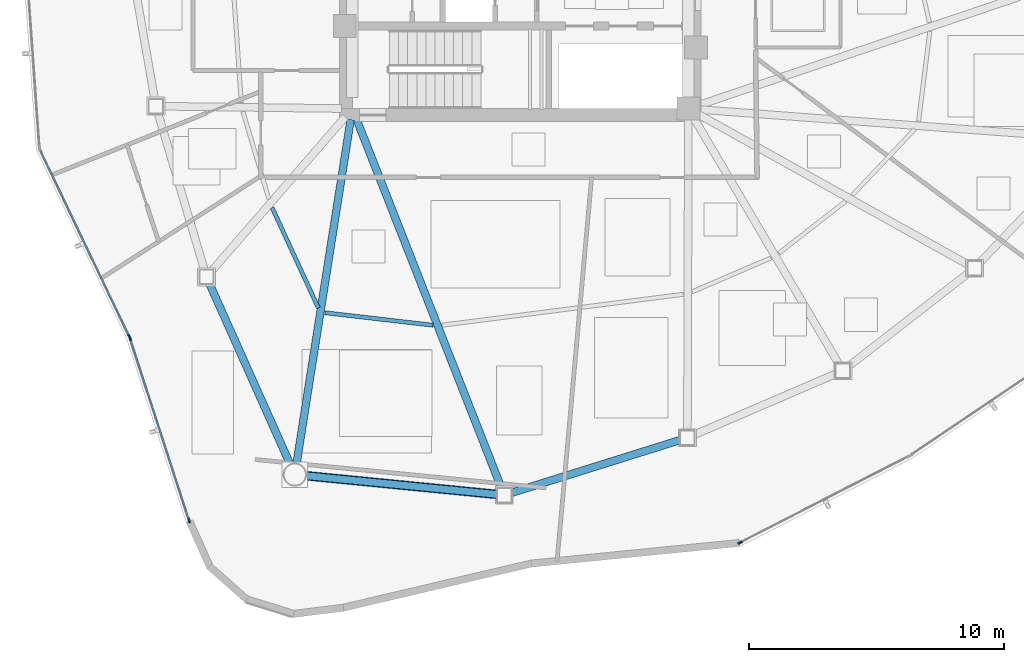
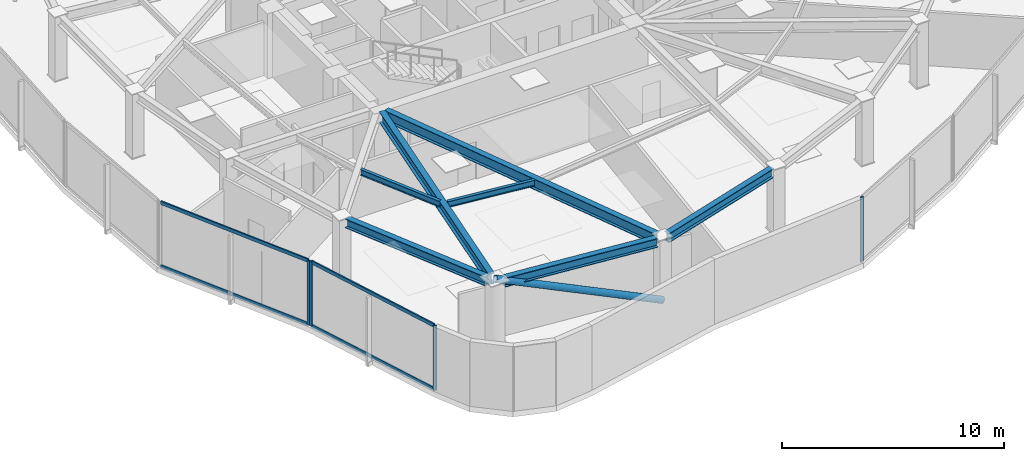
# One storey, part 2 of 17: 9 members, 7 beams, 3 elements without a shape of their own.
"""IFC4 building model written with IfcOpenShell, lengths in metres."""

from ifc_helpers import new_model, si_unit, direction, frame, origin, origin_2d, place, context, subcontext, project, spatial, hollow_rectangle, hollow_circle, i_section, extrude, source, transform, mapped, material, layer, layer_set, material_profile, profile_set, type_object, type_shapes, element, aggregate, save


model = new_model("IFC4")

# Units and contexts
model_context = context("Model", 3, precision=1e-05, world=origin(), true_north=direction((0.0, 1.0)))
body_context = subcontext(model_context, "Body", "Model", "MODEL_VIEW")
ifc_project = project(units=[si_unit("LENGTHUNIT", "METRE"), si_unit("AREAUNIT", "SQUARE_METRE"), si_unit("VOLUMEUNIT", "CUBIC_METRE"), si_unit("PLANEANGLEUNIT", "RADIAN"), si_unit("MASSUNIT", "GRAM", prefix="KILO")], contexts=[model_context])

# Site, building, storey
site_placement = place(None, origin())
site = spatial("IfcSite", under=ifc_project, at=site_placement, CompositionType="ELEMENT")
building_placement = place(site_placement, origin())
building = spatial("IfcBuilding", under=site, at=building_placement, Name="Tavelor Broadcast Tower", CompositionType="ELEMENT")
storey_placement = place(building_placement, frame((0.0, 0.0, 161.800048828125)))
storey = spatial("IfcBuildingStorey", under=building, at=storey_placement, Name="L38", CompositionType="ELEMENT", Elevation=161.800048828125)

# Beams
ifc_material_1 = material(Name="Steel S355", Category="steel")
ifc_material_profile_1 = material_profile(ifc_material_1, i_section(OverallWidth=0.159912109375, OverallDepth=0.330078125, WebThickness=0.007568359375, FlangeThickness=0.011474609375, at=origin_2d()), Name="IPE 330")
ifc_profile_set_1 = profile_set([ifc_material_profile_1], Name="Steel S355")
beam_type_1 = type_object("IfcBeamType", Name="Composite Floor Joist T4 IPE 330", PredefinedType="JOIST", material=ifc_profile_set_1)
beam_1_placement = place(storey_placement, frame((40.2470703125, 34.91259765625, 3.385009765625), z_axis=(0.418865688231, -0.908048200936, 0.0), x_axis=(0.908048200936, 0.418865688231, 0.0)))
element("IfcBeam", 1, at=beam_1_placement, inside=storey, type_object=beam_type_1, Name="L38 Secondary Composite Floor Joist 06", PredefinedType="JOIST", context=body_context, shape_type="SweptSolid", body=[
    extrude(i_section(OverallWidth=0.159912109375, OverallDepth=0.330078125, WebThickness=0.007568359375, FlangeThickness=0.011474609375, at=origin_2d()), origin(), (0.0, 0.0, 1.0), 4.343505859375),
])
beam_2_placement = place(storey_placement, frame((42.322021484375, 30.783447265625, 3.385009765625), z_axis=(0.99339343168, -0.114758397927, 0.0), x_axis=(0.114758397927, 0.99339343168, 0.0)))
element("IfcBeam", 2, at=beam_2_placement, inside=storey, type_object=beam_type_1, Name="L38 Secondary Composite Floor Joist 07", PredefinedType="JOIST", context=body_context, shape_type="SweptSolid", body=[
    extrude(i_section(OverallWidth=0.159912109375, OverallDepth=0.330078125, WebThickness=0.007568359375, FlangeThickness=0.011474609375, at=origin_2d()), origin(), (0.0, 0.0, 1.0), 4.2783203125),
])
ifc_material_profile_2 = material_profile(ifc_material_1, i_section(OverallWidth=0.300048828125, OverallDepth=0.5, WebThickness=0.014404296875, FlangeThickness=0.028076171875, at=origin_2d()), Name="HEB 500")
ifc_profile_set_2 = profile_set([ifc_material_profile_2], Name="Steel S355")
beam_type_2 = type_object("IfcBeamType", Name="Perimeter Spandrel Beam T4 HEB 500", PredefinedType="SPANDREL", material=ifc_profile_set_2)
beam_3_placement = place(storey_placement, frame((37.78564453125, 31.927490234375, 3.300048828125), z_axis=(0.407969002466, -0.912995779304, 0.0), x_axis=(0.912995779304, 0.407969002466, 0.0)))
element("IfcBeam", 3, at=beam_3_placement, inside=storey, type_object=beam_type_2, Name="L38 Framed-Tube Ring Spandrel 06", PredefinedType="SPANDREL", context=body_context, shape_type="SweptSolid", body=[
    extrude(i_section(OverallWidth=0.300048828125, OverallDepth=0.5, WebThickness=0.014404296875, FlangeThickness=0.028076171875, at=origin_2d()), origin(), (0.0, 0.0, 1.0), 7.7802734375),
])
beam_4_placement = place(storey_placement, frame((41.5751953125, 24.381103515625, 3.300048828125), z_axis=(0.995249339376, -0.097358884918, 0.0), x_axis=(0.097358884918, 0.995249339376, 0.0)))
element("IfcBeam", 4, at=beam_4_placement, inside=storey, type_object=beam_type_2, Name="L38 Framed-Tube Ring Spandrel 07", PredefinedType="SPANDREL", context=body_context, shape_type="SweptSolid", body=[
    extrude(i_section(OverallWidth=0.300048828125, OverallDepth=0.5, WebThickness=0.014404296875, FlangeThickness=0.028076171875, at=origin_2d()), origin(), (0.0, 0.0, 1.0), 7.54052734375),
])
beam_5_placement = place(storey_placement, frame((49.641357421875, 23.705078125, 3.300048828125), z_axis=(0.954273247332, 0.298935727918, 0.0), x_axis=(-0.298935727918, 0.954273247332, 0.0)))
element("IfcBeam", 5, at=beam_5_placement, inside=storey, type_object=beam_type_2, Name="L38 Framed-Tube Ring Spandrel 08", PredefinedType="SPANDREL", context=body_context, shape_type="SweptSolid", body=[
    extrude(i_section(OverallWidth=0.300048828125, OverallDepth=0.5, WebThickness=0.014404296875, FlangeThickness=0.028076171875, at=origin_2d()), origin(), (0.0, 0.0, 1.0), 6.963134765625),
])

# Member
ifc_material_profile_3 = material_profile(ifc_material_1, hollow_circle(Radius=0.177734375, WallThickness=0.01611328125, at=origin_2d()), Name="CHS 355.6x16")
ifc_profile_set_3 = profile_set([ifc_material_profile_3], Name="Steel S355")
member_type_1 = type_object("IfcMemberType", Name="Perimeter Tube Brace T4 CHS 355.6x16", PredefinedType="BRACE", material=ifc_profile_set_3)
member_1_placement = place(storey_placement, frame((49.366455078125, 23.618896484375, 0.0), z_axis=(-0.914496364203, 0.089466025126, 0.394578547577), x_axis=(-0.097366094377, -0.995248634094, 0.0)))
element("IfcMember", 6, at=member_1_placement, inside=storey, type_object=member_type_1, Name="L38 Corner Tube Diagonal Brace 2", PredefinedType="BRACE", context=body_context, shape_type="SweptSolid", body=[
    extrude(hollow_circle(Radius=0.177734375, WallThickness=0.01611328125, at=origin_2d()), origin(), (0.0, 0.0, 1.0), 8.9970703125),
])

# Beams
ifc_material_profile_4 = material_profile(ifc_material_1, i_section(OverallWidth=0.300048828125, OverallDepth=0.590087890625, WebThickness=0.012939453125, FlangeThickness=0.02490234375, at=origin_2d()), Name="HEA 600")
ifc_profile_set_4 = profile_set([ifc_material_profile_4], Name="Steel S355")
beam_type_3 = type_object("IfcBeamType", Name="Radial Floor Girder T4 HEA 600", PredefinedType="BEAM", material=ifc_profile_set_4)
beam_6_placement = place(storey_placement, frame((43.3330078125, 38.373291015625, 3.2548828125), z_axis=(-0.15539903111, -0.987851780952, 0.0), x_axis=(0.987851780952, -0.15539903111, 0.0)))
element("IfcBeam", 7, at=beam_6_placement, inside=storey, type_object=beam_type_3, Name="L38 Radial Primary Floor Girder 07", PredefinedType="BEAM", context=body_context, shape_type="SweptSolid", body=[
    extrude(i_section(OverallWidth=0.300048828125, OverallDepth=0.590087890625, WebThickness=0.012939453125, FlangeThickness=0.02490234375, at=origin_2d()), origin(), (0.0, 0.0, 1.0), 13.682373046875),
])
beam_7_placement = place(storey_placement, frame((43.55810546875, 38.39794921875, 3.2548828125), z_axis=(0.365784627572, -0.930699525213, 0.0), x_axis=(0.930699525213, 0.365784627572, 0.0)))
element("IfcBeam", 8, at=beam_7_placement, inside=storey, type_object=beam_type_3, Name="L38 Radial Primary Floor Girder 08", PredefinedType="BEAM", context=body_context, shape_type="SweptSolid", body=[
    extrude(i_section(OverallWidth=0.300048828125, OverallDepth=0.590087890625, WebThickness=0.012939453125, FlangeThickness=0.02490234375, at=origin_2d()), origin(), (0.0, 0.0, 1.0), 15.591552734375),
])

# Curtain wall, member
ifc_material_2 = material(Name="Architectural Anodized Aluminium", Category="aluminium")
ifc_layer = layer(ifc_material_2, 0.18994140625)
ifc_layer_set = layer_set([ifc_layer], Name="Architectural Anodized Aluminium")
curtain_wall_type = type_object("IfcCurtainWallType", Name="Tower Mid-Zone Acoustic Curtain Wall CW03", PredefinedType="NOTDEFINED", material=ifc_layer_set)
curtain_wall_1_placement = place(storey_placement, origin())
curtain_wall_1 = element("IfcCurtainWall", 9, at=curtain_wall_1_placement, inside=storey, type_object=curtain_wall_type, Name="L38 Curtain Wall CW03 Run 399", PredefinedType="NOTDEFINED")
ifc_material_profile_5 = material_profile(ifc_material_2, hollow_rectangle(XDim=0.068115234375, YDim=0.18994140625, WallThickness=0.02197265625, at=origin_2d()), Name="RHS 68x190x22")
ifc_profile_set_5 = profile_set([ifc_material_profile_5], Name="Architectural Anodized Aluminium")
member_type_2 = type_object("IfcMemberType", Name="CW03 Extruded Aluminium Mullion 68x190", PredefinedType="MULLION", material=ifc_profile_set_5)
shared_shape_1 = source(origin(), body_context, "Body", "SweptSolid", [
    extrude(hollow_rectangle(XDim=0.068115234375, YDim=0.18994140625, WallThickness=0.02197265625, at=origin_2d()), origin(), (0.0, 0.0, 1.0), 3.550048828125),
])
type_shapes(member_type_2, [shared_shape_1])
member_2_placement = place(storey_placement, frame((34.634033203125, 29.8564453125, 0.0), z_axis=(0.0, 0.0, 1.0), x_axis=(0.902173087206, 0.431374223524, 0.0)))
member_2 = element("IfcMember", 10, at=member_2_placement, type_object=member_type_2, Name="CW03 mullion 2", PredefinedType="MULLION", context=body_context, shape_type="MappedRepresentation", body=[
    mapped(shared_shape_1, transform((0.0, 0.0, 0.0), scale=1.0)),
])

# Curtain wall, members
curtain_wall_2_placement = place(storey_placement, origin())
curtain_wall_2 = element("IfcCurtainWall", 11, at=curtain_wall_2_placement, inside=storey, type_object=curtain_wall_type, Name="L38 Curtain Wall CW03 Run 400", PredefinedType="NOTDEFINED")
member_3_placement = place(storey_placement, frame((34.670166015625, 29.765625, 0.0), z_axis=(0.0, 0.0, 1.0), x_axis=(0.951181982044, 0.30863058344, 0.0)))
member_3 = element("IfcMember", 12, at=member_3_placement, type_object=member_type_2, Name="CW03 mullion 1", PredefinedType="MULLION", context=body_context, shape_type="MappedRepresentation", body=[
    mapped(shared_shape_1, transform((0.0, 0.0, 0.0), scale=1.0)),
])
member_4_placement = place(storey_placement, frame((36.9873046875, 22.6240234375, 0.0), z_axis=(0.0, 0.0, 1.0), x_axis=(0.951181982044, 0.30863058344, 0.0)))
member_4 = element("IfcMember", 13, at=member_4_placement, type_object=member_type_2, Name="CW03 mullion 2", PredefinedType="MULLION", context=body_context, shape_type="MappedRepresentation", body=[
    mapped(shared_shape_1, transform((0.0, 0.0, 0.0), scale=1.0)),
])

# Curtain wall, member
curtain_wall_3_placement = place(storey_placement, origin())
curtain_wall_3 = element("IfcCurtainWall", 14, at=curtain_wall_3_placement, inside=storey, type_object=curtain_wall_type, Name="L38 Curtain Wall CW03 Run 401", PredefinedType="NOTDEFINED")
member_5_placement = place(storey_placement, frame((58.628662109375, 21.751220703125, 0.0), z_axis=(0.0, 0.0, 1.0), x_axis=(-0.455935837939, 0.890012646923, 0.0)))
member_5 = element("IfcMember", 15, at=member_5_placement, type_object=member_type_2, Name="CW03 mullion 1", PredefinedType="MULLION", context=body_context, shape_type="MappedRepresentation", body=[
    mapped(shared_shape_1, transform((0.0, 0.0, 0.0), scale=1.0)),
])
aggregate(curtain_wall_3, [member_5])

# Member
ifc_material_profile_6 = material_profile(ifc_material_2, hollow_rectangle(XDim=0.068115234375, YDim=0.18994140625, WallThickness=0.02197265625, at=origin_2d()), Name="RHS 68x190x22")
ifc_profile_set_6 = profile_set([ifc_material_profile_6], Name="Architectural Anodized Aluminium")
member_type_3 = type_object("IfcMemberType", Name="CW03 Extruded Aluminium Transom 68x190", PredefinedType="USERDEFINED", material=ifc_profile_set_6)
shared_shape_2 = source(origin(), body_context, "Body", "SweptSolid", [
    extrude(hollow_rectangle(XDim=0.068115234375, YDim=0.18994140625, WallThickness=0.02197265625, at=origin_2d()), origin(), (0.0, 0.0, 1.0), 8.04931640625),
])
member_6_placement = place(storey_placement, frame((31.14697265625, 37.14892578125, 0.033935546875), z_axis=(0.431396467772, -0.902162450778, 0.0), x_axis=(0.902162450778, 0.431396467772, 0.0)))
member_6 = element("IfcMember", 16, at=member_6_placement, type_object=member_type_3, Name="CW03 transom 1.1", ObjectType="TRANSOM", PredefinedType="USERDEFINED", context=body_context, shape_type="MappedRepresentation", body=[
    mapped(shared_shape_2, transform((0.0, 0.0, 0.0), scale=1.0)),
])

member_7_placement = place(storey_placement, frame((31.14697265625, 37.14892578125, 3.515869140625), z_axis=(0.431396467772, -0.902162450778, 0.0), x_axis=(0.902162450778, 0.431396467772, 0.0)))
member_7 = element("IfcMember", 17, at=member_7_placement, type_object=member_type_3, Name="CW03 transom 1.2", ObjectType="TRANSOM", PredefinedType="USERDEFINED", context=body_context, shape_type="MappedRepresentation", body=[
    mapped(shared_shape_2, transform((0.0, 0.0, 0.0), scale=1.0)),
])

aggregate(curtain_wall_1, [member_2, member_6, member_7])

shared_shape_3 = source(origin(), body_context, "Body", "SweptSolid", [
    extrude(hollow_rectangle(XDim=0.068115234375, YDim=0.18994140625, WallThickness=0.02197265625, at=origin_2d()), origin(), (0.0, 0.0, 1.0), 7.440185546875),
])
type_shapes(member_type_3, [shared_shape_2, shared_shape_3])
member_8_placement = place(storey_placement, frame((34.6806640625, 29.7333984375, 0.033935546875), z_axis=(0.308617843141, -0.951186115802, 0.0), x_axis=(0.951186115802, 0.308617843141, 0.0)))
member_8 = element("IfcMember", 18, at=member_8_placement, type_object=member_type_3, Name="CW03 transom 1.1", ObjectType="TRANSOM", PredefinedType="USERDEFINED", context=body_context, shape_type="MappedRepresentation", body=[
    mapped(shared_shape_3, transform((0.0, 0.0, 0.0), scale=1.0)),
])

member_9_placement = place(storey_placement, frame((34.6806640625, 29.7333984375, 3.515869140625), z_axis=(0.308617843141, -0.951186115802, 0.0), x_axis=(0.951186115802, 0.308617843141, 0.0)))
member_9 = element("IfcMember", 19, at=member_9_placement, type_object=member_type_3, Name="CW03 transom 1.2", ObjectType="TRANSOM", PredefinedType="USERDEFINED", context=body_context, shape_type="MappedRepresentation", body=[
    mapped(shared_shape_3, transform((0.0, 0.0, 0.0), scale=1.0)),
])

aggregate(curtain_wall_2, [member_3, member_4, member_8, member_9])

save(model, "model.ifc")
